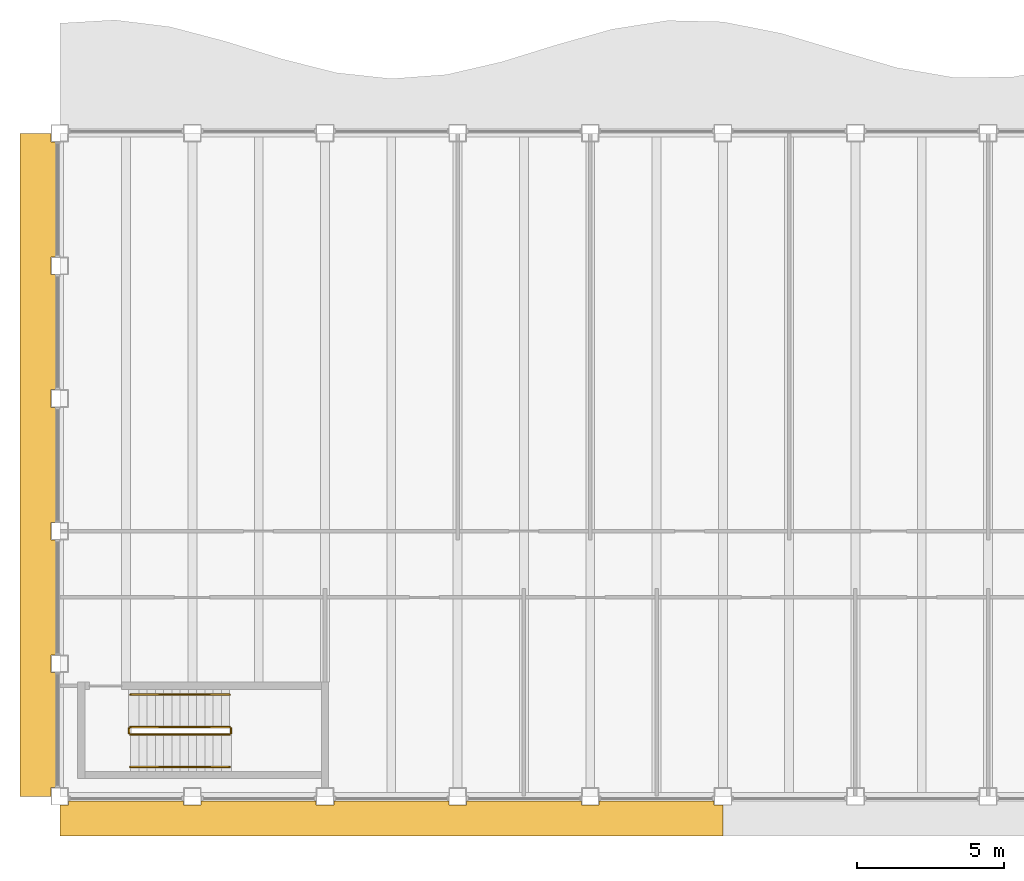
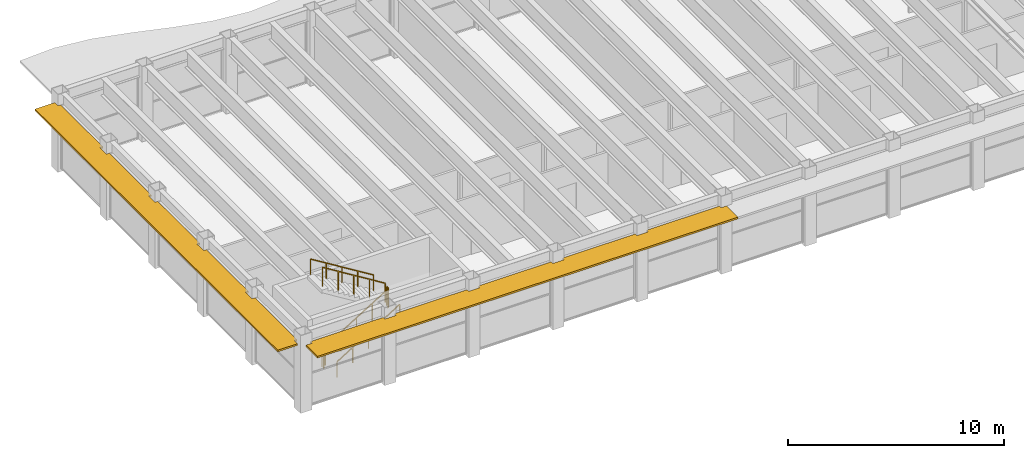
# One storey, part 13 of 15: 6 railings, 2 shading devices.
"""IFC4 building model written with IfcOpenShell, lengths in metres."""

from ifc_helpers import new_model, si_unit, direction, frame, origin, origin_2d, place, context, subcontext, project, spatial, polyline, rectangle, outline, extrude, material, layer, layer_set, type_object, element, save


model = new_model("IFC4")

# Units and contexts
model_context = context("Model", 3, precision=1e-05, world=origin(), true_north=direction((0.0, 1.0)))
body_context = subcontext(model_context, "Body", "Model", "MODEL_VIEW")
ifc_project = project(units=[si_unit("LENGTHUNIT", "METRE"), si_unit("AREAUNIT", "SQUARE_METRE"), si_unit("VOLUMEUNIT", "CUBIC_METRE"), si_unit("PLANEANGLEUNIT", "RADIAN"), si_unit("MASSUNIT", "GRAM", prefix="KILO")], contexts=[model_context])

# Site, building, storey
site_placement = place(None, origin())
site = spatial("IfcSite", under=ifc_project, at=site_placement, CompositionType="ELEMENT")
building_placement = place(site_placement, origin())
building = spatial("IfcBuilding", under=site, at=building_placement, Name="Sennacour Bend Tower", CompositionType="ELEMENT")
storey_placement = place(building_placement, frame((0.0, 0.0, 341.0)))
storey = spatial("IfcBuildingStorey", under=building, at=storey_placement, Name="L78", CompositionType="ELEMENT", Elevation=341.0)

# Railings
ifc_material_1 = material(Name="Stainless steel", Category="steel")
railing_type_1 = type_object("IfcRailingType", Name="RL-GUARD-1100", PredefinedType="GUARDRAIL", material=ifc_material_1)
railing_1_placement = place(storey_placement, frame((2.39990234375, 2.10009765625, 0.173095703125)))
element("IfcRailing", 1, at=railing_1_placement, inside=storey, type_object=railing_type_1, Name="L78 SK1 stair guard 1", PredefinedType="GUARDRAIL", context=body_context, shape_type="SweptSolid", body=[
    extrude(rectangle(XDim=0.048095703125, YDim=0.048095703125, at=origin_2d()), frame((0.0, 0.0, 1.076171875), z_axis=(0.850623216509, 0.0, 0.525775754039), x_axis=(0.0, 1.0, 0.0)), (0.0, 0.0, 1.0), 3.9501953125),
    extrude(rectangle(XDim=0.0419921875, YDim=0.0419921875, at=origin_2d()), origin(), (0.0, 0.0, 1.0), 1.052001953125),
    extrude(rectangle(XDim=0.0419921875, YDim=0.0419921875, at=origin_2d()), frame((0.840087890625, 0.0, 0.519287109375)), (0.0, 0.0, 1.0), 1.052001953125),
    extrude(rectangle(XDim=0.0419921875, YDim=0.0419921875, at=origin_2d()), frame((1.68017578125, 0.0, 1.03857421875)), (0.0, 0.0, 1.0), 1.052001953125),
    extrude(rectangle(XDim=0.0419921875, YDim=0.0419921875, at=origin_2d()), frame((2.52001953125, 0.0, 1.5576171875)), (0.0, 0.0, 1.0), 1.052001953125),
    extrude(rectangle(XDim=0.0419921875, YDim=0.0419921875, at=origin_2d()), frame((3.360107421875, 0.0, 2.076904296875)), (0.0, 0.0, 1.0), 1.052001953125),
])
railing_2_placement = place(storey_placement, frame((5.81005859375, 2.14990234375, 2.25)))
element("IfcRailing", 2, at=railing_2_placement, inside=storey, type_object=railing_type_1, Name="L78 SK1 stair guard 2", PredefinedType="GUARDRAIL", context=body_context, shape_type="SweptSolid", body=[
    extrude(rectangle(XDim=0.048095703125, YDim=0.048095703125, at=origin_2d()), frame((0.0, 0.0, 1.076171875), z_axis=(0.0, 1.0, 0.0), x_axis=(-1.0, 0.0, 0.0)), (0.0, 0.0, 1.0), 0.150146484375),
    extrude(rectangle(XDim=0.0419921875, YDim=0.0419921875, at=origin_2d()), origin(), (0.0, 0.0, 1.0), 1.052001953125),
    extrude(rectangle(XDim=0.0419921875, YDim=0.0419921875, at=origin_2d()), frame((0.0, 0.150146484375, 0.0)), (0.0, 0.0, 1.0), 1.052001953125),
])
railing_3_placement = place(storey_placement, frame((5.760009765625, 2.35009765625, 2.423095703125)))
element("IfcRailing", 3, at=railing_3_placement, inside=storey, type_object=railing_type_1, Name="L78 SK1 stair guard 3", PredefinedType="GUARDRAIL", context=body_context, shape_type="SweptSolid", body=[
    extrude(rectangle(XDim=0.048095703125, YDim=0.048095703125, at=origin_2d()), frame((0.0, 0.0, 1.076171875), z_axis=(-0.850623216509, 0.0, 0.525775754039), x_axis=(0.0, -1.0, 0.0)), (0.0, 0.0, 1.0), 3.9501953125),
    extrude(rectangle(XDim=0.0419921875, YDim=0.0419921875, at=origin_2d()), origin(), (0.0, 0.0, 1.0), 1.052001953125),
    extrude(rectangle(XDim=0.0419921875, YDim=0.0419921875, at=origin_2d()), frame((-0.840087890625, 0.0, 0.519287109375)), (0.0, 0.0, 1.0), 1.052001953125),
    extrude(rectangle(XDim=0.0419921875, YDim=0.0419921875, at=origin_2d()), frame((-1.68017578125, 0.0, 1.03857421875)), (0.0, 0.0, 1.0), 1.052001953125),
    extrude(rectangle(XDim=0.0419921875, YDim=0.0419921875, at=origin_2d()), frame((-2.52001953125, 0.0, 1.5576171875)), (0.0, 0.0, 1.0), 1.052001953125),
    extrude(rectangle(XDim=0.0419921875, YDim=0.0419921875, at=origin_2d()), frame((-3.360107421875, 0.0, 2.076904296875)), (0.0, 0.0, 1.0), 1.052001953125),
])
railing_4_placement = place(storey_placement, frame((2.35009765625, 2.14990234375, 0.0)))
element("IfcRailing", 4, at=railing_4_placement, inside=storey, type_object=railing_type_1, Name="L78 SK1 stair guard 4", PredefinedType="GUARDRAIL", context=body_context, shape_type="SweptSolid", body=[
    extrude(rectangle(XDim=0.048095703125, YDim=0.048095703125, at=origin_2d()), frame((0.0, 0.0, 1.076171875), z_axis=(0.0, 1.0, 0.0), x_axis=(-1.0, 0.0, 0.0)), (0.0, 0.0, 1.0), 0.150146484375),
    extrude(rectangle(XDim=0.0419921875, YDim=0.0419921875, at=origin_2d()), origin(), (0.0, 0.0, 1.0), 1.052001953125),
    extrude(rectangle(XDim=0.0419921875, YDim=0.0419921875, at=origin_2d()), frame((0.0, 0.150146484375, 0.0)), (0.0, 0.0, 1.0), 1.052001953125),
])
railing_type_2 = type_object("IfcRailingType", Name="RL-HANDRAIL-900", PredefinedType="HANDRAIL", material=ifc_material_1)
railing_5_placement = place(storey_placement, frame((2.39990234375, 1.0, 0.173095703125)))
element("IfcRailing", 5, at=railing_5_placement, inside=storey, type_object=railing_type_2, Name="L78 SK1 stair handrail 1", PredefinedType="HANDRAIL", context=body_context, shape_type="SweptSolid", body=[
    extrude(rectangle(XDim=0.048095703125, YDim=0.048095703125, at=origin_2d()), frame((0.0, 0.0, 0.8759765625), z_axis=(0.850623216509, 0.0, 0.525775754039), x_axis=(0.0, 1.0, 0.0)), (0.0, 0.0, 1.0), 3.9501953125),
    extrude(rectangle(XDim=0.0419921875, YDim=0.0419921875, at=origin_2d()), origin(), (0.0, 0.0, 1.0), 0.851806640625),
    extrude(rectangle(XDim=0.0419921875, YDim=0.0419921875, at=origin_2d()), frame((0.840087890625, 0.0, 0.519287109375)), (0.0, 0.0, 1.0), 0.851806640625),
    extrude(rectangle(XDim=0.0419921875, YDim=0.0419921875, at=origin_2d()), frame((1.68017578125, 0.0, 1.03857421875)), (0.0, 0.0, 1.0), 0.851806640625),
    extrude(rectangle(XDim=0.0419921875, YDim=0.0419921875, at=origin_2d()), frame((2.52001953125, 0.0, 1.5576171875)), (0.0, 0.0, 1.0), 0.851806640625),
    extrude(rectangle(XDim=0.0419921875, YDim=0.0419921875, at=origin_2d()), frame((3.360107421875, 0.0, 2.076904296875)), (0.0, 0.0, 1.0), 0.851806640625),
])
railing_6_placement = place(storey_placement, frame((5.760009765625, 3.449951171875, 2.423095703125)))
element("IfcRailing", 6, at=railing_6_placement, inside=storey, type_object=railing_type_2, Name="L78 SK1 stair handrail 2", PredefinedType="HANDRAIL", context=body_context, shape_type="SweptSolid", body=[
    extrude(rectangle(XDim=0.048095703125, YDim=0.048095703125, at=origin_2d()), frame((0.0, 0.0, 0.8759765625), z_axis=(-0.850623216509, 0.0, 0.525775754039), x_axis=(0.0, -1.0, 0.0)), (0.0, 0.0, 1.0), 3.9501953125),
    extrude(rectangle(XDim=0.0419921875, YDim=0.0419921875, at=origin_2d()), origin(), (0.0, 0.0, 1.0), 0.851806640625),
    extrude(rectangle(XDim=0.0419921875, YDim=0.0419921875, at=origin_2d()), frame((-0.840087890625, 0.0, 0.519287109375)), (0.0, 0.0, 1.0), 0.851806640625),
    extrude(rectangle(XDim=0.0419921875, YDim=0.0419921875, at=origin_2d()), frame((-1.68017578125, 0.0, 1.03857421875)), (0.0, 0.0, 1.0), 0.851806640625),
    extrude(rectangle(XDim=0.0419921875, YDim=0.0419921875, at=origin_2d()), frame((-2.52001953125, 0.0, 1.5576171875)), (0.0, 0.0, 1.0), 0.851806640625),
    extrude(rectangle(XDim=0.0419921875, YDim=0.0419921875, at=origin_2d()), frame((-3.360107421875, 0.0, 2.076904296875)), (0.0, 0.0, 1.0), 0.851806640625),
])

# Shading devices
ifc_material_2 = material(Name="Bronze anodised aluminium", Category="aluminium")
ifc_layer = layer(ifc_material_2, 0.10009765625, Name="Bronze anodised aluminium", Category="aluminium")
ifc_layer_set = layer_set([ifc_layer], Name="Bronze anodised aluminium")
shading_device_type = type_object("IfcShadingDeviceType", Name="SUNSHADE BAND STRAIGHT", PredefinedType="USERDEFINED", material=ifc_layer_set)
shading_device_1_placement = place(storey_placement, frame((0.0, 0.0, 3.52197265625)))
element("IfcShadingDevice", 7, at=shading_device_1_placement, inside=storey, type_object=shading_device_type, Name="Sunshade band L78 K outer face", ObjectType="SUNSHADE", PredefinedType="USERDEFINED", context=body_context, shape_type="SweptSolid", body=[
    extrude(outline(polyline([(4.199951171875, -0.14990234375), (4.199951171875, -0.300048828125), (4.800048828125, -0.300048828125), (4.800048828125, -0.14990234375), (8.699951171875, -0.14990234375), (8.699951171875, -0.300048828125), (9.300048828125, -0.300048828125), (9.300048828125, -0.14990234375), (13.199951171875, -0.14990234375), (13.199951171875, -0.300048828125), (13.800048828125, -0.300048828125), (13.800048828125, -0.14990234375), (17.699951171875, -0.14990234375), (17.699951171875, -0.300048828125), (18.300048828125, -0.300048828125), (18.300048828125, -0.14990234375), (22.199951171875, -0.14990234375), (22.199951171875, -0.300048828125), (22.5, -0.300048828125), (22.5, -1.35009765625), (0.0, -1.35009765625), (0.0, -0.300048828125), (0.300048828125, -0.300048828125), (0.300048828125, -0.14990234375), (4.199951171875, -0.14990234375)])), origin(), (0.0, 0.0, 1.0), 0.10009765625),
])
shading_device_2_placement = place(storey_placement, frame((0.0, 0.0, 3.52197265625)))
element("IfcShadingDevice", 8, at=shading_device_2_placement, inside=storey, type_object=shading_device_type, Name="Sunshade band L78 K outer face", ObjectType="SUNSHADE", PredefinedType="USERDEFINED", context=body_context, shape_type="SweptSolid", body=[
    extrude(outline(polyline([(-0.14990234375, 18.300048828125), (-0.300048828125, 18.300048828125), (-0.300048828125, 17.699951171875), (-0.14990234375, 17.699951171875), (-0.14990234375, 13.800048828125), (-0.300048828125, 13.800048828125), (-0.300048828125, 13.199951171875), (-0.14990234375, 13.199951171875), (-0.14990234375, 9.300048828125), (-0.300048828125, 9.300048828125), (-0.300048828125, 8.699951171875), (-0.14990234375, 8.699951171875), (-0.14990234375, 4.800048828125), (-0.300048828125, 4.800048828125), (-0.300048828125, 4.199951171875), (-0.14990234375, 4.199951171875), (-0.14990234375, 0.300048828125), (-0.300048828125, 0.300048828125), (-0.300048828125, 0.0), (-1.35009765625, 0.0), (-1.35009765625, 22.5), (-0.300048828125, 22.5), (-0.300048828125, 22.199951171875), (-0.14990234375, 22.199951171875), (-0.14990234375, 18.300048828125)])), origin(), (0.0, 0.0, 1.0), 0.10009765625),
])

save(model, "model.ifc")
